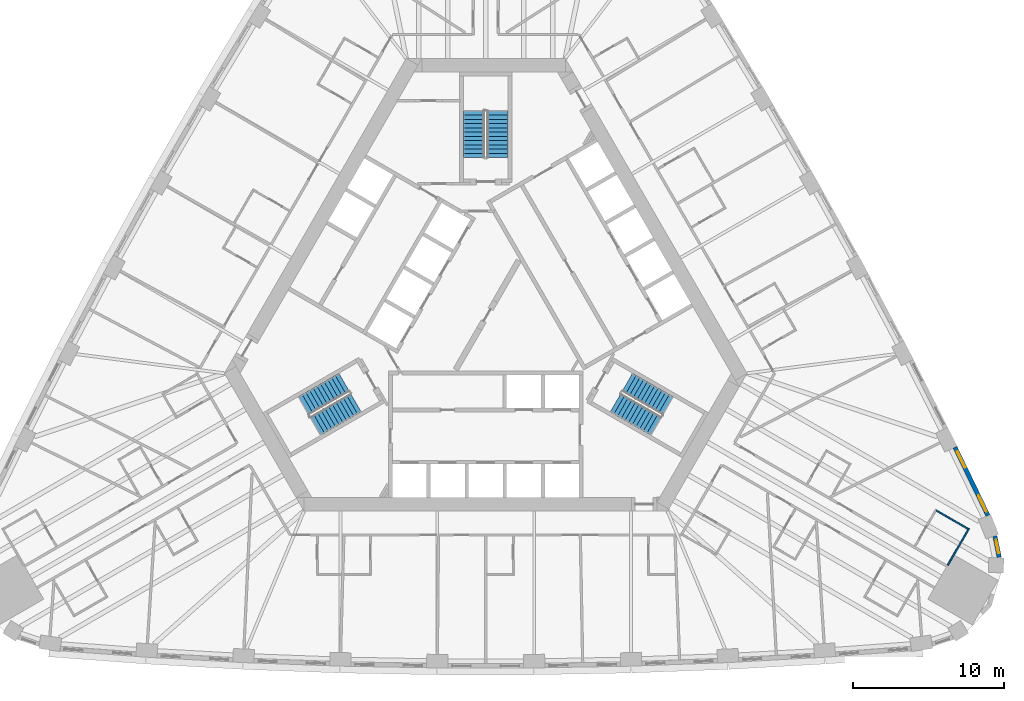
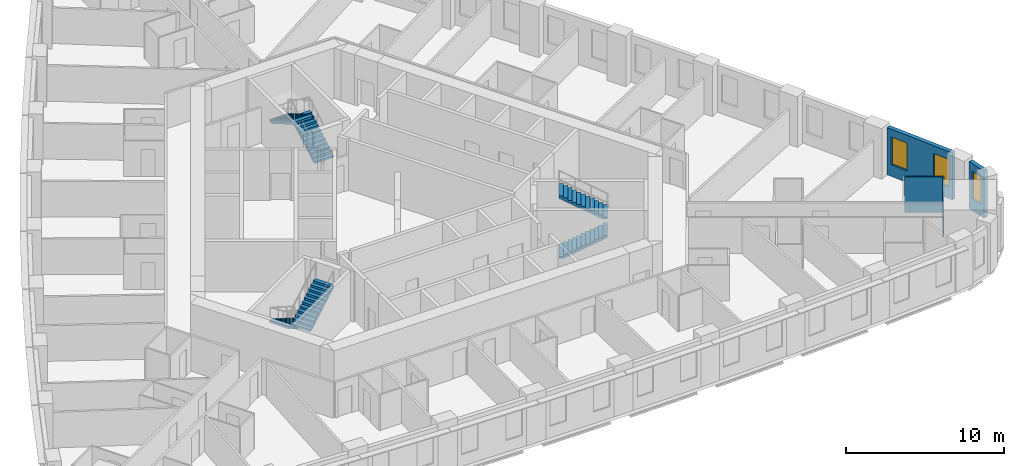
# One storey, part 12 of 13: 6 stair flights, 4 walls, 3 windows, 3 openings, 3 elements without a shape of their own.
"""IFC4 building model written with IfcOpenShell, lengths in metres."""

import ifcopenshell
import ifcopenshell.guid

model = None  # the IFC model being written
_history = None  # IfcOwnerHistory: only IFC2X3 demands one
_inside = {}  # id of a spatial element -> (the spatial element, [elements in it])
_under = {}  # id of a project, library or spatial element -> (it, [spatial elements below it])
_declared = {}  # id of a project -> (the project, [libraries it declares])
_typed = {}  # id of a type object -> (the type object, [elements of that type])
_made_of = {}  # id of a material, layer set ... -> (it, [elements and type objects made of it])


def new_model(schema):
    """Start an empty IFC model of exactly this schema.

    Asked for "IFC4X3", IfcOpenShell would pick the latest addendum, in which some entities
    have other attributes; the version numbers below select the first issue.
    IFC2X3 requires an IfcOwnerHistory on every rooted entity: one is made here for all.
    """
    global model, _history
    if schema == "IFC4X3":
        model = ifcopenshell.file(schema_version=(4, 3, 0, 0))
    else:
        model = ifcopenshell.file(schema=schema)
    _inside.clear()
    _under.clear()
    _declared.clear()
    _typed.clear()
    _made_of.clear()
    _history = None
    if model.schema == "IFC2X3":
        org = make("IfcOrganization", Name="unknown")
        user = make(
            "IfcPersonAndOrganization",
            ThePerson=make("IfcPerson", FamilyName="unknown"),
            TheOrganization=org,
        )
        app = make(
            "IfcApplication",
            ApplicationDeveloper=org,
            Version="unknown",
            ApplicationFullName="unknown",
            ApplicationIdentifier="unknown",
        )
        _history = make(
            "IfcOwnerHistory",
            OwningUser=user,
            OwningApplication=app,
            ChangeAction="ADDED",
            CreationDate=0,
        )
    return model


def make(cls, **values):
    """One entity of the class cls with the attributes given. An attribute that is None is left unset."""
    return model.create_entity(
        cls, **{name: value for name, value in values.items() if value is not None}
    )


def rooted(cls, **values):
    """An entity with a GlobalId (a new one), such as an element, a storey or a relation."""
    return make(cls, GlobalId=ifcopenshell.guid.new(), OwnerHistory=_history, **values)


def si_unit(unit_type, name, prefix=None):
    """IfcSIUnit, for example si_unit("LENGTHUNIT", "METRE", prefix="MILLI")."""
    return make("IfcSIUnit", UnitType=unit_type, Prefix=prefix, Name=name)


def assignment(units):
    """IfcUnitAssignment: the units of a project."""
    return None if units is None else make("IfcUnitAssignment", Units=units)


def point(xyz):
    """IfcCartesianPoint."""
    return None if xyz is None else make("IfcCartesianPoint", Coordinates=xyz)


def direction(xyz):
    """IfcDirection."""
    return None if xyz is None else make("IfcDirection", DirectionRatios=xyz)


def frame(location, z_axis=None, x_axis=None):
    """IfcAxis2Placement3D, a coordinate frame: its origin and axes. An axis left out is left unset."""
    return make(
        "IfcAxis2Placement3D",
        Location=point(location),
        Axis=direction(z_axis),
        RefDirection=direction(x_axis),
    )


def frame_2d(location, x_axis=None):
    """IfcAxis2Placement2D, a coordinate frame in the plane: its origin and x axis."""
    return make(
        "IfcAxis2Placement2D", Location=point(location), RefDirection=direction(x_axis)
    )


def origin():
    """The frame at (0, 0, 0) with its axes left unset."""
    return frame((0.0, 0.0, 0.0))


def place(relative_to, where):
    """IfcLocalPlacement: puts the frame where relative to a parent placement (None: the world)."""
    return make(
        "IfcLocalPlacement", PlacementRelTo=relative_to, RelativePlacement=where
    )


def context(
    kind, dimensions, precision=None, world=None, true_north=None, identifier=None
):
    """IfcGeometricRepresentationContext, for example the 3D "Model" context."""
    return make(
        "IfcGeometricRepresentationContext",
        ContextIdentifier=identifier,
        ContextType=kind,
        CoordinateSpaceDimension=dimensions,
        Precision=precision,
        WorldCoordinateSystem=world,
        TrueNorth=true_north,
    )


def subcontext(parent, identifier, kind, view, scale=None):
    """IfcGeometricRepresentationSubContext, for example "Body" below "Model"."""
    return make(
        "IfcGeometricRepresentationSubContext",
        ContextIdentifier=identifier,
        ContextType=kind,
        ParentContext=parent,
        TargetScale=scale,
        TargetView=view,
    )


def project(units=None, contexts=None):
    """IfcProject with its units and contexts."""
    return rooted(
        "IfcProject",
        Name="project",
        RepresentationContexts=contexts,
        UnitsInContext=assignment(units),
    )


def spatial(cls, under=None, at=None, **own):
    """A site, building, storey or space (cls), placed at a placement, below another one or the project."""
    s = rooted(cls, ObjectPlacement=at, **own)
    if under is not None:
        _under.setdefault(under.id(), (under, []))[1].append(s)
    return s


def polyline(points):
    """IfcPolyline through the points."""
    return make("IfcPolyline", Points=[point(p) for p in points])


def profile(cls, at=None, kind="AREA", **sizes):
    """A parametric profile (cls). Its sizes go by their IFC names, for example OverallWidth=200.0."""
    return make(cls, ProfileType=kind, Position=at, **sizes)


def rectangle(**sizes):
    """IfcRectangleProfileDef."""
    return profile("IfcRectangleProfileDef", **sizes)


def outline(outer, holes=None, kind="AREA"):
    """IfcArbitraryClosedProfileDef: a profile drawn as a closed curve; with holes, ...WithVoids."""
    if holes is None:
        return make("IfcArbitraryClosedProfileDef", ProfileType=kind, OuterCurve=outer)
    return make(
        "IfcArbitraryProfileDefWithVoids",
        ProfileType=kind,
        OuterCurve=outer,
        InnerCurves=holes,
    )


def extrude(swept, where, along, depth):
    """IfcExtrudedAreaSolid: the profile swept, set in the frame where, extruded along a direction by depth."""
    return make(
        "IfcExtrudedAreaSolid",
        SweptArea=swept,
        Position=where,
        ExtrudedDirection=direction(along),
        Depth=depth,
    )


def shape(context_of_items, identifier, shape_type, items):
    """IfcShapeRepresentation: the items that make up one representation, for example the "Body"."""
    return make(
        "IfcShapeRepresentation",
        ContextOfItems=context_of_items,
        RepresentationIdentifier=identifier,
        RepresentationType=shape_type,
        Items=items,
    )


def material(Name=None, Category=None):
    """IfcMaterial."""
    return make("IfcMaterial", Name=Name, Category=Category)


def layer(
    of_material, thickness, ventilated=None, Name=None, Category=None, Priority=None
):
    """IfcMaterialLayer: one layer of a wall or slab, of a material (None: an air gap)."""
    return make(
        "IfcMaterialLayer",
        Material=of_material,
        LayerThickness=thickness,
        IsVentilated=ventilated,
        Name=Name,
        Category=Category,
        Priority=Priority,
    )


def layer_set(layers, Name=None):
    """IfcMaterialLayerSet."""
    return make("IfcMaterialLayerSet", MaterialLayers=layers, LayerSetName=Name)


def made_of(thing, what):
    """Note that an element or type object is made of a material, layer set ...; save() writes the relation."""
    if what is not None:
        _made_of.setdefault(what.id(), (what, []))[1].append(thing)
    return thing


def type_object(cls, material=None, **own):
    """A type object (cls), such as IfcWallType, which elements share."""
    return made_of(rooted(cls, **own), material)


def element(
    cls,
    number,
    at=None,
    inside=None,
    cuts=None,
    type_object=None,
    material=None,
    context=None,
    identifier="Body",
    shape_type=None,
    held_by="IfcProductDefinitionShape",
    body=None,
    shapes=None,
    **own,
):
    """One element of the class cls, such as IfcWall. Its Tag is "e" and its number.

    at: its placement. inside: the storey or other place that contains it. cuts: it is an
    opening in that element (IfcRelVoidsElement). A single representation is given by context,
    identifier, shape_type and body (its items); several are given by shapes. held_by: the class
    of the entity that holds the representations. save() writes the other relations.
    """
    e = rooted(cls, Tag="e%d" % number, ObjectPlacement=at, **own)
    if body is not None:
        shapes = [shape(context, identifier, shape_type, body)]
    if shapes is not None:
        e.Representation = make(held_by, Representations=shapes)
    if inside is not None:
        _inside.setdefault(inside.id(), (inside, []))[1].append(e)
    if cuts is not None:
        rooted(
            "IfcRelVoidsElement", RelatingBuildingElement=cuts, RelatedOpeningElement=e
        )
    if type_object is not None:
        _typed.setdefault(type_object.id(), (type_object, []))[1].append(e)
    return made_of(e, material)


def fill(opening, filler):
    """IfcRelFillsElement: the door or window that sits in an opening."""
    return rooted(
        "IfcRelFillsElement",
        RelatingOpeningElement=opening,
        RelatedBuildingElement=filler,
    )


def aggregate(whole, parts):
    """IfcRelAggregates: a whole, such as a stair, and the parts it consists of."""
    return rooted("IfcRelAggregates", RelatingObject=whole, RelatedObjects=parts)


def save(model, path):
    """Write the relations noted so far, then the file.

    IfcRelAggregates (storeys below a building ...), IfcRelContainedInSpatialStructure (elements
    in a storey), IfcRelDefinesByType, IfcRelAssociatesMaterial and IfcRelDeclares: one each for
    every whole, place, type object, material and project.
    """
    for whole, parts in _under.values():
        aggregate(whole, parts)
    for where, things in _inside.values():
        rooted(
            "IfcRelContainedInSpatialStructure",
            RelatedElements=things,
            RelatingStructure=where,
        )
    for kind, things in _typed.values():
        rooted("IfcRelDefinesByType", RelatedObjects=things, RelatingType=kind)
    for what, things in _made_of.values():
        rooted("IfcRelAssociatesMaterial", RelatedObjects=things, RelatingMaterial=what)
    for by, libraries in _declared.values():
        rooted("IfcRelDeclares", RelatingContext=by, RelatedDefinitions=libraries)
    model.write(path)


model = new_model("IFC4")

# Units and contexts
model_context = context("Model", 3, precision=1e-05, world=origin(), true_north=direction((0.0, 1.0)))
body_context = subcontext(model_context, "Body", "Model", "MODEL_VIEW")
ifc_project = project(units=[si_unit("LENGTHUNIT", "METRE"), si_unit("AREAUNIT", "SQUARE_METRE"), si_unit("VOLUMEUNIT", "CUBIC_METRE"), si_unit("PLANEANGLEUNIT", "RADIAN"), si_unit("MASSUNIT", "GRAM", prefix="KILO")], contexts=[model_context])

# Site, building, storey
site_placement = place(None, origin())
site = spatial("IfcSite", under=ifc_project, at=site_placement, CompositionType="ELEMENT")
building_placement = place(site_placement, origin())
building = spatial("IfcBuilding", under=site, at=building_placement, Name="Mestral Congress Tower", CompositionType="ELEMENT")
storey_placement = place(building_placement, frame((0.0, 0.0, 35.39990234375)))
storey = spatial("IfcBuildingStorey", under=building, at=storey_placement, Name="L07", CompositionType="ELEMENT", Elevation=35.39990234375)

# Wall, opening, window
ifc_material_1 = material(Name="Precast concrete C40/50 with limestone facing", Category="masonry")
ifc_layer_1 = layer(ifc_material_1, 0.2900390625)
ifc_layer_set_1 = layer_set([ifc_layer_1], Name="Precast concrete C40/50 with limestone facing")
wall_type_1 = type_object("IfcWallType", Name="Facade stone wall 290", PredefinedType="SOLIDWALL", material=ifc_layer_set_1)
wall_1_placement = place(storey_placement, frame((33.91748046875, -16.043701171875, 0.0), z_axis=(0.0, 0.0, 1.0), x_axis=(-0.198106888228, 0.980180422594, 0.0)))
wall_1 = element("IfcWall", 1, at=wall_1_placement, inside=storey, type_object=wall_type_1, Name="Facade wall K0-3", PredefinedType="SOLIDWALL", context=body_context, shape_type="SweptSolid", body=[
    extrude(rectangle(XDim=1.414794921875, YDim=0.2900390625, at=frame_2d((0.70751953125, 0.0))), origin(), (0.0, 0.0, 1.0), 3.650146484375),
])
opening_1_placement = place(wall_1_placement, frame((0.25732421875, 0.0, 0.89990234375)))
opening_1 = element("IfcOpeningElement", 2, at=opening_1_placement, cuts=wall_1, Name="Opening W3", PredefinedType="OPENING", context=body_context, shape_type="SweptSolid", body=[
    extrude(rectangle(XDim=0.89990234375, YDim=2.14990234375, at=frame_2d((0.449951171875, 1.074951171875))), frame((0.0, 0.155029296875, 0.0), z_axis=(0.0, -1.0, 0.0), x_axis=(1.0, 0.0, 0.0)), (0.0, 0.0, 1.0), 0.31005859375),
])
ifc_material_2 = material(Name="Clear low-emissivity double glazing", Category="glass")
window_type_1 = type_object("IfcWindowType", Name="Facade punched window 900 x 2150 sill 900", PartitioningType="SINGLE_PANEL", PredefinedType="WINDOW", material=ifc_material_2)
window_1_placement = place(opening_1_placement, origin())
window_1 = element("IfcWindow", 3, at=window_1_placement, inside=storey, type_object=window_type_1, Name="Window K0-3", OverallHeight=2.14990234375, OverallWidth=0.89990234375, PartitioningType="SINGLE_PANEL", PredefinedType="WINDOW", context=body_context, shape_type="SweptSolid", body=[
    extrude(rectangle(XDim=0.89990234375, YDim=2.14990234375, at=frame_2d((0.449951171875, 1.074951171875))), frame((0.0, 0.01513671875, 0.0), z_axis=(0.0, -1.0, 0.0), x_axis=(1.0, 0.0, 0.0)), (0.0, 0.0, 1.0), 0.06005859375),
])
fill(opening_1, window_1)

# Wall, openings, windows
wall_2_placement = place(storey_placement, frame((33.176025390625, -13.290283203125, 0.0), z_axis=(0.0, 0.0, 1.0), x_axis=(-0.434664499056, 0.900592456808, 0.0)))
wall_2 = element("IfcWall", 4, at=wall_2_placement, inside=storey, type_object=wall_type_1, Name="Facade wall F1-00", PredefinedType="SOLIDWALL", context=body_context, shape_type="SweptSolid", body=[
    extrude(rectangle(XDim=5.005615234375, YDim=0.2900390625, at=frame_2d((2.5029296875, 0.0))), origin(), (0.0, 0.0, 1.0), 3.650146484375),
])
opening_2_placement = place(wall_2_placement, frame((0.265380859375, 0.0, 0.89990234375)))
opening_2 = element("IfcOpeningElement", 5, at=opening_2_placement, cuts=wall_2, Name="Opening W1", PredefinedType="OPENING", context=body_context, shape_type="SweptSolid", body=[
    extrude(rectangle(XDim=1.199951171875, YDim=2.14990234375, at=frame_2d((0.60009765625, 1.074951171875))), frame((0.0, 0.155029296875, 0.0), z_axis=(0.0, -1.0, 0.0), x_axis=(1.0, 0.0, 0.0)), (0.0, 0.0, 1.0), 0.31005859375),
])
opening_3_placement = place(wall_2_placement, frame((3.49560546875, 0.0, 0.89990234375)))
opening_3 = element("IfcOpeningElement", 6, at=opening_3_placement, cuts=wall_2, Name="Opening W1", PredefinedType="OPENING", context=body_context, shape_type="SweptSolid", body=[
    extrude(rectangle(XDim=1.199951171875, YDim=2.14990234375, at=frame_2d((0.60009765625, 1.074951171875))), frame((0.0, 0.155029296875, 0.0), z_axis=(0.0, -1.0, 0.0), x_axis=(1.0, 0.0, 0.0)), (0.0, 0.0, 1.0), 0.31005859375),
])
window_type_2 = type_object("IfcWindowType", Name="Facade punched window 1200 x 2150 sill 900", PartitioningType="DOUBLE_PANEL_VERTICAL", PredefinedType="WINDOW", material=ifc_material_2)
window_2_placement = place(opening_2_placement, origin())
window_2 = element("IfcWindow", 7, at=window_2_placement, inside=storey, type_object=window_type_2, Name="Window F1-00a", OverallHeight=2.14990234375, OverallWidth=1.199951171875, PartitioningType="DOUBLE_PANEL_VERTICAL", PredefinedType="WINDOW", context=body_context, shape_type="SweptSolid", body=[
    extrude(rectangle(XDim=1.199951171875, YDim=2.14990234375, at=frame_2d((0.60009765625, 1.074951171875))), frame((0.0, 0.01513671875, 0.0), z_axis=(0.0, -1.0, 0.0), x_axis=(1.0, 0.0, 0.0)), (0.0, 0.0, 1.0), 0.06005859375),
])
fill(opening_2, window_2)
window_3_placement = place(opening_3_placement, origin())
window_3 = element("IfcWindow", 8, at=window_3_placement, inside=storey, type_object=window_type_2, Name="Window F1-00b", OverallHeight=2.14990234375, OverallWidth=1.199951171875, PartitioningType="DOUBLE_PANEL_VERTICAL", PredefinedType="WINDOW", context=body_context, shape_type="SweptSolid", body=[
    extrude(rectangle(XDim=1.199951171875, YDim=2.14990234375, at=frame_2d((0.60009765625, 1.074951171875))), frame((0.0, 0.01513671875, 0.0), z_axis=(0.0, -1.0, 0.0), x_axis=(1.0, 0.0, 0.0)), (0.0, 0.0, 1.0), 0.06005859375),
])
fill(opening_3, window_3)

# Walls
ifc_material_3 = material(Name="Gypsum board partition on metal studs with mineral wool", Category="composite")
ifc_layer_2 = layer(ifc_material_3, 0.10009765625)
ifc_layer_set_2 = layer_set([ifc_layer_2], Name="Gypsum board partition on metal studs with mineral wool")
wall_type_2 = type_object("IfcWallType", Name="Hotel partition wall 100", PredefinedType="PARTITIONING", material=ifc_layer_set_2)
wall_3_placement = place(storey_placement, frame((29.770751953125, -12.973388671875, 0.0), z_axis=(0.0, 0.0, 1.0), x_axis=(0.865980596518, -0.500077600433, 0.0)))
element("IfcWall", 9, at=wall_3_placement, inside=storey, type_object=wall_type_2, Name="L07-h-pod11b", PredefinedType="PARTITIONING", context=body_context, shape_type="SweptSolid", body=[
    extrude(rectangle(XDim=2.39990234375, YDim=0.10009765625, at=frame_2d((1.199951171875, 0.0))), origin(), (0.0, 0.0, 1.0), 2.75),
])
wall_4_placement = place(storey_placement, frame((30.517578125, -16.580078125, 0.0), z_axis=(0.0, 0.0, 1.0), x_axis=(0.49998411664, 0.866034573852, 0.0)))
element("IfcWall", 10, at=wall_4_placement, inside=storey, type_object=wall_type_2, Name="L07-h-pod11c", PredefinedType="PARTITIONING", context=body_context, shape_type="SweptSolid", body=[
    extrude(rectangle(XDim=2.7998046875, YDim=0.10009765625, at=frame_2d((1.39990234375, 0.0))), origin(), (0.0, 0.0, 1.0), 2.75),
])

# Stair, stair flights
ifc_material_4 = material(Name="Concrete C60/75", Category="concrete")
stair_type = type_object("IfcStairType", Name="Exit stair 1400", PredefinedType="HALF_TURN_STAIR", material=ifc_material_4)
placement = place(storey_placement, origin())
stair_1 = element("IfcStair", 11, at=placement, inside=storey, type_object=stair_type, Name="L07 ST1", PredefinedType="HALF_TURN_STAIR")
stair_flight_type = type_object("IfcStairFlightType", Name="Exit stair flight 1400", PredefinedType="STRAIGHT", material=ifc_material_4)
stair_flight_1_placement = place(storey_placement, frame((8.575927734375, -5.84619140625, 0.0), z_axis=(0.0, 0.0, 1.0), x_axis=(0.866025403784, -0.5, 0.0)))
stair_flight_1 = element("IfcStairFlight", 12, at=stair_flight_1_placement, type_object=stair_flight_type, Name="ST1 flight 1", NumberOfRisers=12, NumberOfTreads=11, PredefinedType="STRAIGHT", RiserHeight=0.1625, TreadLength=0.28, context=body_context, shape_type="SweptSolid", body=[
    extrude(outline(polyline([(0.0, 0.0), (0.0, 0.16259765625), (0.280029296875, 0.16259765625), (0.280029296875, 0.324951171875), (0.56005859375, 0.324951171875), (0.56005859375, 0.487548828125), (0.840087890625, 0.487548828125), (0.840087890625, 0.64990234375), (1.1201171875, 0.64990234375), (1.1201171875, 0.8125), (1.39990234375, 0.8125), (1.39990234375, 0.97509765625), (1.679931640625, 0.97509765625), (1.679931640625, 1.137451171875), (1.9599609375, 1.137451171875), (1.9599609375, 1.300048828125), (2.239990234375, 1.300048828125), (2.239990234375, 1.46240234375), (2.52001953125, 1.46240234375), (2.52001953125, 1.625), (2.800048828125, 1.625), (2.800048828125, 1.78759765625), (3.080078125, 1.78759765625), (3.080078125, 1.949951171875), (3.080078125, 1.6142578125), (0.298583984375, 0.0), (0.0, 0.0)])), frame((0.0, 0.699951171875, 0.0), z_axis=(0.0, -1.0, 0.0), x_axis=(1.0, 0.0, 0.0)), (0.0, 0.0, 1.0), 1.39990234375),
])
stair_flight_2_placement = place(storey_placement, frame((12.018310546875, -6.0439453125, 1.9501953125), z_axis=(0.0, 0.0, 1.0), x_axis=(-0.866025403784, 0.5, 0.0)))
stair_flight_2 = element("IfcStairFlight", 13, at=stair_flight_2_placement, type_object=stair_flight_type, Name="ST1 flight 2", NumberOfRisers=12, NumberOfTreads=11, PredefinedType="STRAIGHT", RiserHeight=0.1625, TreadLength=0.28, context=body_context, shape_type="SweptSolid", body=[
    extrude(outline(polyline([(0.0, 0.0), (0.0, 0.16259765625), (0.280029296875, 0.16259765625), (0.280029296875, 0.324951171875), (0.56005859375, 0.324951171875), (0.56005859375, 0.487548828125), (0.840087890625, 0.487548828125), (0.840087890625, 0.64990234375), (1.1201171875, 0.64990234375), (1.1201171875, 0.8125), (1.39990234375, 0.8125), (1.39990234375, 0.97509765625), (1.679931640625, 0.97509765625), (1.679931640625, 1.137451171875), (1.9599609375, 1.137451171875), (1.9599609375, 1.300048828125), (2.239990234375, 1.300048828125), (2.239990234375, 1.46240234375), (2.52001953125, 1.46240234375), (2.52001953125, 1.625), (2.800048828125, 1.625), (2.800048828125, 1.78759765625), (3.080078125, 1.78759765625), (3.080078125, 1.949951171875), (3.080078125, 1.6142578125), (0.298583984375, 0.0), (0.0, 0.0)])), frame((0.0, 0.699951171875, 0.0), z_axis=(0.0, -1.0, 0.0), x_axis=(1.0, 0.0, 0.0)), (0.0, 0.0, 1.0), 1.39990234375),
])
aggregate(stair_1, [stair_flight_1, stair_flight_2])

stair_2 = element("IfcStair", 14, at=placement, inside=storey, type_object=stair_type, Name="L07 ST2", PredefinedType="HALF_TURN_STAIR")
stair_flight_3_placement = place(storey_placement, frame((0.77490234375, 10.35009765625, 0.0), z_axis=(0.0, 0.0, 1.0), x_axis=(0.0, 1.0, 0.0)))
stair_flight_3 = element("IfcStairFlight", 15, at=stair_flight_3_placement, type_object=stair_flight_type, Name="ST2 flight 1", NumberOfRisers=12, NumberOfTreads=11, PredefinedType="STRAIGHT", RiserHeight=0.1625, TreadLength=0.28, context=body_context, shape_type="SweptSolid", body=[
    extrude(outline(polyline([(0.0, 0.0), (0.0, 0.16259765625), (0.280029296875, 0.16259765625), (0.280029296875, 0.324951171875), (0.56005859375, 0.324951171875), (0.56005859375, 0.487548828125), (0.840087890625, 0.487548828125), (0.840087890625, 0.64990234375), (1.1201171875, 0.64990234375), (1.1201171875, 0.8125), (1.39990234375, 0.8125), (1.39990234375, 0.97509765625), (1.679931640625, 0.97509765625), (1.679931640625, 1.137451171875), (1.9599609375, 1.137451171875), (1.9599609375, 1.300048828125), (2.239990234375, 1.300048828125), (2.239990234375, 1.46240234375), (2.52001953125, 1.46240234375), (2.52001953125, 1.625), (2.800048828125, 1.625), (2.800048828125, 1.78759765625), (3.080078125, 1.78759765625), (3.080078125, 1.949951171875), (3.080078125, 1.6142578125), (0.298583984375, 0.0), (0.0, 0.0)])), frame((0.0, 0.699951171875, 0.0), z_axis=(0.0, -1.0, 0.0), x_axis=(1.0, 0.0, 0.0)), (0.0, 0.0, 1.0), 1.39990234375),
])
stair_flight_4_placement = place(storey_placement, frame((-0.77490234375, 13.429931640625, 1.9501953125), z_axis=(0.0, 0.0, 1.0), x_axis=(0.0, -1.0, 0.0)))
stair_flight_4 = element("IfcStairFlight", 16, at=stair_flight_4_placement, type_object=stair_flight_type, Name="ST2 flight 2", NumberOfRisers=12, NumberOfTreads=11, PredefinedType="STRAIGHT", RiserHeight=0.1625, TreadLength=0.28, context=body_context, shape_type="SweptSolid", body=[
    extrude(outline(polyline([(0.0, 0.0), (0.0, 0.16259765625), (0.280029296875, 0.16259765625), (0.280029296875, 0.324951171875), (0.56005859375, 0.324951171875), (0.56005859375, 0.487548828125), (0.840087890625, 0.487548828125), (0.840087890625, 0.64990234375), (1.1201171875, 0.64990234375), (1.1201171875, 0.8125), (1.39990234375, 0.8125), (1.39990234375, 0.97509765625), (1.679931640625, 0.97509765625), (1.679931640625, 1.137451171875), (1.9599609375, 1.137451171875), (1.9599609375, 1.300048828125), (2.239990234375, 1.300048828125), (2.239990234375, 1.46240234375), (2.52001953125, 1.46240234375), (2.52001953125, 1.625), (2.800048828125, 1.625), (2.800048828125, 1.78759765625), (3.080078125, 1.78759765625), (3.080078125, 1.949951171875), (3.080078125, 1.6142578125), (0.298583984375, 0.0), (0.0, 0.0)])), frame((0.0, 0.699951171875, 0.0), z_axis=(0.0, -1.0, 0.0), x_axis=(1.0, 0.0, 0.0)), (0.0, 0.0, 1.0), 1.39990234375),
])
aggregate(stair_2, [stair_flight_3, stair_flight_4])

stair_3 = element("IfcStair", 17, at=placement, inside=storey, type_object=stair_type, Name="L07 ST3", PredefinedType="HALF_TURN_STAIR")
stair_flight_5_placement = place(storey_placement, frame((-9.350830078125, -4.50390625, 0.0), z_axis=(0.0, 0.0, 1.0), x_axis=(-0.866025403784, -0.5, 0.0)))
stair_flight_5 = element("IfcStairFlight", 18, at=stair_flight_5_placement, type_object=stair_flight_type, Name="ST3 flight 1", NumberOfRisers=12, NumberOfTreads=11, PredefinedType="STRAIGHT", RiserHeight=0.1625, TreadLength=0.28, context=body_context, shape_type="SweptSolid", body=[
    extrude(outline(polyline([(0.0, 0.0), (0.0, 0.16259765625), (0.280029296875, 0.16259765625), (0.280029296875, 0.324951171875), (0.56005859375, 0.324951171875), (0.56005859375, 0.487548828125), (0.840087890625, 0.487548828125), (0.840087890625, 0.64990234375), (1.1201171875, 0.64990234375), (1.1201171875, 0.8125), (1.39990234375, 0.8125), (1.39990234375, 0.97509765625), (1.679931640625, 0.97509765625), (1.679931640625, 1.137451171875), (1.9599609375, 1.137451171875), (1.9599609375, 1.300048828125), (2.239990234375, 1.300048828125), (2.239990234375, 1.46240234375), (2.52001953125, 1.46240234375), (2.52001953125, 1.625), (2.800048828125, 1.625), (2.800048828125, 1.78759765625), (3.080078125, 1.78759765625), (3.080078125, 1.949951171875), (3.080078125, 1.6142578125), (0.298583984375, 0.0), (0.0, 0.0)])), frame((0.0, 0.699951171875, 0.0), z_axis=(0.0, -1.0, 0.0), x_axis=(1.0, 0.0, 0.0)), (0.0, 0.0, 1.0), 1.39990234375),
])
stair_flight_6_placement = place(storey_placement, frame((-11.2431640625, -7.38623046875, 1.9501953125), z_axis=(0.0, 0.0, 1.0), x_axis=(0.866025403784, 0.5, 0.0)))
stair_flight_6 = element("IfcStairFlight", 19, at=stair_flight_6_placement, type_object=stair_flight_type, Name="ST3 flight 2", NumberOfRisers=12, NumberOfTreads=11, PredefinedType="STRAIGHT", RiserHeight=0.1625, TreadLength=0.28, context=body_context, shape_type="SweptSolid", body=[
    extrude(outline(polyline([(0.0, 0.0), (0.0, 0.16259765625), (0.280029296875, 0.16259765625), (0.280029296875, 0.324951171875), (0.56005859375, 0.324951171875), (0.56005859375, 0.487548828125), (0.840087890625, 0.487548828125), (0.840087890625, 0.64990234375), (1.1201171875, 0.64990234375), (1.1201171875, 0.8125), (1.39990234375, 0.8125), (1.39990234375, 0.97509765625), (1.679931640625, 0.97509765625), (1.679931640625, 1.137451171875), (1.9599609375, 1.137451171875), (1.9599609375, 1.300048828125), (2.239990234375, 1.300048828125), (2.239990234375, 1.46240234375), (2.52001953125, 1.46240234375), (2.52001953125, 1.625), (2.800048828125, 1.625), (2.800048828125, 1.78759765625), (3.080078125, 1.78759765625), (3.080078125, 1.949951171875), (3.080078125, 1.6142578125), (0.298583984375, 0.0), (0.0, 0.0)])), frame((0.0, 0.699951171875, 0.0), z_axis=(0.0, -1.0, 0.0), x_axis=(1.0, 0.0, 0.0)), (0.0, 0.0, 1.0), 1.39990234375),
])
aggregate(stair_3, [stair_flight_5, stair_flight_6])

save(model, "model.ifc")
